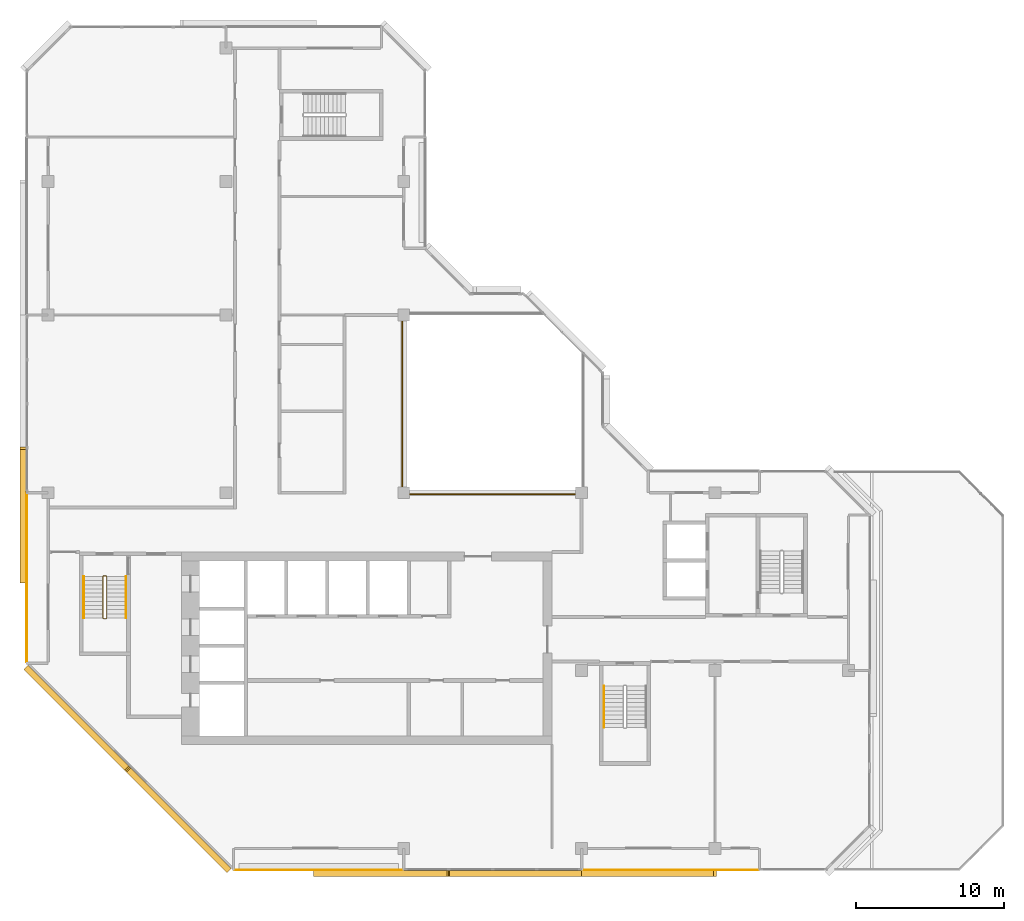
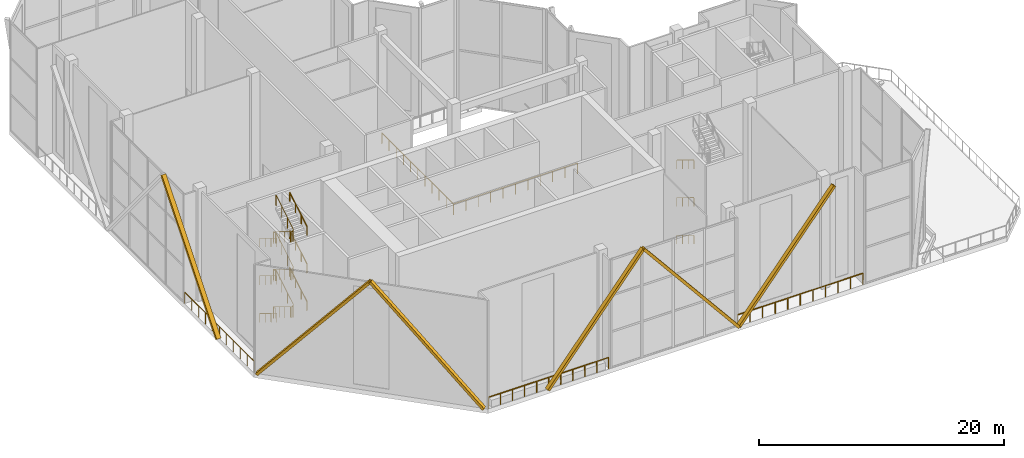
# One storey, part 13 of 16: 14 railings, 6 coverings.
"""IFC4 building model written with IfcOpenShell, lengths in metres."""

from ifc_helpers import new_model, si_unit, direction, frame, origin, origin_2d, place, context, subcontext, project, spatial, rectangle, extrude, material, material_profile, profile_set, type_object, element, save


model = new_model("IFC4")

# Units and contexts
model_context = context("Model", 3, precision=1e-05, world=origin(), true_north=direction((0.0, 1.0)))
body_context = subcontext(model_context, "Body", "Model", "MODEL_VIEW")
ifc_project = project(units=[si_unit("LENGTHUNIT", "METRE"), si_unit("AREAUNIT", "SQUARE_METRE"), si_unit("VOLUMEUNIT", "CUBIC_METRE"), si_unit("PLANEANGLEUNIT", "RADIAN"), si_unit("MASSUNIT", "GRAM", prefix="KILO")], contexts=[model_context])

# Site, building, storey
site_placement = place(None, origin())
site = spatial("IfcSite", under=ifc_project, at=site_placement, CompositionType="ELEMENT")
building_placement = place(site_placement, origin())
building = spatial("IfcBuilding", under=site, at=building_placement, Name="Chenar Terraces", CompositionType="ELEMENT")
storey_placement = place(building_placement, frame((0.0, 0.0, 327.64990234375)))
storey = spatial("IfcBuildingStorey", under=building, at=storey_placement, Name="L77", CompositionType="ELEMENT", Elevation=327.64990234375)

# Railings
ifc_material_1 = material(Name="Powder-coated steel", Category="steel")
railing_type_1 = type_object("IfcRailingType", Name="Guard 1100 steel rail with glass infill", PredefinedType="GUARDRAIL", material=ifc_material_1)
railing_1_placement = place(storey_placement, frame((23.89990234375, 35.60009765625, 0.0)))
element("IfcRailing", 1, at=railing_1_placement, inside=storey, type_object=railing_type_1, Name="Guard L77-1", PredefinedType="GUARDRAIL", context=body_context, shape_type="SweptSolid", body=[
    extrude(rectangle(XDim=0.06005859375, YDim=0.06005859375, at=origin_2d()), frame((0.0, 0.0, 1.070068359375), z_axis=(0.0, -1.0, 0.0), x_axis=(1.0, 0.0, 0.0)), (0.0, 0.0, 1.0), 11.7001953125),
    extrude(rectangle(XDim=0.06005859375, YDim=0.06005859375, at=origin_2d()), frame((0.0, -11.7001953125, 1.070068359375), z_axis=(1.0, 0.0, 0.0), x_axis=(0.0, 1.0, 0.0)), (0.0, 0.0, 1.0), 11.7001953125),
    extrude(rectangle(XDim=0.050048828125, YDim=0.050048828125, at=origin_2d()), origin(), (0.0, 0.0, 1.0), 1.0400390625),
    extrude(rectangle(XDim=0.050048828125, YDim=0.050048828125, at=origin_2d()), frame((0.0, -1.169921875, 0.0)), (0.0, 0.0, 1.0), 1.0400390625),
    extrude(rectangle(XDim=0.050048828125, YDim=0.050048828125, at=origin_2d()), frame((0.0, -2.340087890625, 0.0)), (0.0, 0.0, 1.0), 1.0400390625),
    extrude(rectangle(XDim=0.050048828125, YDim=0.050048828125, at=origin_2d()), frame((0.0, -3.510009765625, 0.0)), (0.0, 0.0, 1.0), 1.0400390625),
    extrude(rectangle(XDim=0.050048828125, YDim=0.050048828125, at=origin_2d()), frame((0.0, -4.68017578125, 0.0)), (0.0, 0.0, 1.0), 1.0400390625),
    extrude(rectangle(XDim=0.050048828125, YDim=0.050048828125, at=origin_2d()), frame((0.0, -5.85009765625, 0.0)), (0.0, 0.0, 1.0), 1.0400390625),
    extrude(rectangle(XDim=0.050048828125, YDim=0.050048828125, at=origin_2d()), frame((0.0, -7.02001953125, 0.0)), (0.0, 0.0, 1.0), 1.0400390625),
    extrude(rectangle(XDim=0.050048828125, YDim=0.050048828125, at=origin_2d()), frame((0.0, -8.190185546875, 0.0)), (0.0, 0.0, 1.0), 1.0400390625),
    extrude(rectangle(XDim=0.050048828125, YDim=0.050048828125, at=origin_2d()), frame((0.0, -9.360107421875, 0.0)), (0.0, 0.0, 1.0), 1.0400390625),
    extrude(rectangle(XDim=0.050048828125, YDim=0.050048828125, at=origin_2d()), frame((0.0, -10.5302734375, 0.0)), (0.0, 0.0, 1.0), 1.0400390625),
    extrude(rectangle(XDim=0.050048828125, YDim=0.050048828125, at=origin_2d()), frame((0.0, -11.7001953125, 0.0)), (0.0, 0.0, 1.0), 1.0400390625),
    extrude(rectangle(XDim=0.050048828125, YDim=0.050048828125, at=origin_2d()), frame((1.169921875, -11.7001953125, 0.0)), (0.0, 0.0, 1.0), 1.0400390625),
    extrude(rectangle(XDim=0.050048828125, YDim=0.050048828125, at=origin_2d()), frame((2.340087890625, -11.7001953125, 0.0)), (0.0, 0.0, 1.0), 1.0400390625),
    extrude(rectangle(XDim=0.050048828125, YDim=0.050048828125, at=origin_2d()), frame((3.510009765625, -11.7001953125, 0.0)), (0.0, 0.0, 1.0), 1.0400390625),
    extrude(rectangle(XDim=0.050048828125, YDim=0.050048828125, at=origin_2d()), frame((4.68017578125, -11.7001953125, 0.0)), (0.0, 0.0, 1.0), 1.0400390625),
    extrude(rectangle(XDim=0.050048828125, YDim=0.050048828125, at=origin_2d()), frame((5.85009765625, -11.7001953125, 0.0)), (0.0, 0.0, 1.0), 1.0400390625),
    extrude(rectangle(XDim=0.050048828125, YDim=0.050048828125, at=origin_2d()), frame((7.02001953125, -11.7001953125, 0.0)), (0.0, 0.0, 1.0), 1.0400390625),
    extrude(rectangle(XDim=0.050048828125, YDim=0.050048828125, at=origin_2d()), frame((8.190185546875, -11.7001953125, 0.0)), (0.0, 0.0, 1.0), 1.0400390625),
    extrude(rectangle(XDim=0.050048828125, YDim=0.050048828125, at=origin_2d()), frame((9.360107421875, -11.7001953125, 0.0)), (0.0, 0.0, 1.0), 1.0400390625),
    extrude(rectangle(XDim=0.050048828125, YDim=0.050048828125, at=origin_2d()), frame((10.5302734375, -11.7001953125, 0.0)), (0.0, 0.0, 1.0), 1.0400390625),
    extrude(rectangle(XDim=0.050048828125, YDim=0.050048828125, at=origin_2d()), frame((11.7001953125, -11.7001953125, 0.0)), (0.0, 0.0, 1.0), 1.0400390625),
])
ifc_material_2 = material(Name="Stainless steel and glass", Category="steel")
railing_type_2 = type_object("IfcRailingType", Name="Loggia guard 1150", PredefinedType="GUARDRAIL", material=ifc_material_2)
railing_2_placement = place(storey_placement, frame((12.574951171875, -1.449951171875, 0.0)))
element("IfcRailing", 2, at=railing_2_placement, inside=storey, type_object=railing_type_2, Name="Loggia guard", PredefinedType="GUARDRAIL", context=body_context, shape_type="SweptSolid", body=[
    extrude(rectangle(XDim=0.048095703125, YDim=0.048095703125, at=origin_2d()), frame((0.0, 0.0, 1.1259765625), z_axis=(1.0, 0.0, 0.0), x_axis=(0.0, 1.0, 0.0)), (0.0, 0.0, 1.0), 11.35009765625),
    extrude(rectangle(XDim=0.0419921875, YDim=0.0419921875, at=origin_2d()), origin(), (0.0, 0.0, 1.0), 1.101806640625),
    extrude(rectangle(XDim=0.0419921875, YDim=0.0419921875, at=origin_2d()), frame((1.135009765625, 0.0, 0.0)), (0.0, 0.0, 1.0), 1.101806640625),
    extrude(rectangle(XDim=0.0419921875, YDim=0.0419921875, at=origin_2d()), frame((2.27001953125, 0.0, 0.0)), (0.0, 0.0, 1.0), 1.101806640625),
    extrude(rectangle(XDim=0.0419921875, YDim=0.0419921875, at=origin_2d()), frame((3.405029296875, 0.0, 0.0)), (0.0, 0.0, 1.0), 1.101806640625),
    extrude(rectangle(XDim=0.0419921875, YDim=0.0419921875, at=origin_2d()), frame((4.5400390625, 0.0, 0.0)), (0.0, 0.0, 1.0), 1.101806640625),
    extrude(rectangle(XDim=0.0419921875, YDim=0.0419921875, at=origin_2d()), frame((5.675048828125, 0.0, 0.0)), (0.0, 0.0, 1.0), 1.101806640625),
    extrude(rectangle(XDim=0.0419921875, YDim=0.0419921875, at=origin_2d()), frame((6.81005859375, 0.0, 0.0)), (0.0, 0.0, 1.0), 1.101806640625),
    extrude(rectangle(XDim=0.0419921875, YDim=0.0419921875, at=origin_2d()), frame((7.945068359375, 0.0, 0.0)), (0.0, 0.0, 1.0), 1.101806640625),
    extrude(rectangle(XDim=0.0419921875, YDim=0.0419921875, at=origin_2d()), frame((9.080078125, 0.0, 0.0)), (0.0, 0.0, 1.0), 1.101806640625),
    extrude(rectangle(XDim=0.0419921875, YDim=0.0419921875, at=origin_2d()), frame((10.215087890625, 0.0, 0.0)), (0.0, 0.0, 1.0), 1.101806640625),
    extrude(rectangle(XDim=0.0419921875, YDim=0.0419921875, at=origin_2d()), frame((11.35009765625, 0.0, 0.0)), (0.0, 0.0, 1.0), 1.101806640625),
])
railing_3_placement = place(storey_placement, frame((36.074951171875, -1.449951171875, 0.0)))
element("IfcRailing", 3, at=railing_3_placement, inside=storey, type_object=railing_type_2, Name="Loggia guard", PredefinedType="GUARDRAIL", context=body_context, shape_type="SweptSolid", body=[
    extrude(rectangle(XDim=0.048095703125, YDim=0.048095703125, at=origin_2d()), frame((0.0, 0.0, 1.1259765625), z_axis=(1.0, 0.0, 0.0), x_axis=(0.0, 1.0, 0.0)), (0.0, 0.0, 1.0), 11.85009765625),
    extrude(rectangle(XDim=0.0419921875, YDim=0.0419921875, at=origin_2d()), origin(), (0.0, 0.0, 1.0), 1.101806640625),
    extrude(rectangle(XDim=0.0419921875, YDim=0.0419921875, at=origin_2d()), frame((1.18505859375, 0.0, 0.0)), (0.0, 0.0, 1.0), 1.101806640625),
    extrude(rectangle(XDim=0.0419921875, YDim=0.0419921875, at=origin_2d()), frame((2.3701171875, 0.0, 0.0)), (0.0, 0.0, 1.0), 1.101806640625),
    extrude(rectangle(XDim=0.0419921875, YDim=0.0419921875, at=origin_2d()), frame((3.554931640625, 0.0, 0.0)), (0.0, 0.0, 1.0), 1.101806640625),
    extrude(rectangle(XDim=0.0419921875, YDim=0.0419921875, at=origin_2d()), frame((4.739990234375, 0.0, 0.0)), (0.0, 0.0, 1.0), 1.101806640625),
    extrude(rectangle(XDim=0.0419921875, YDim=0.0419921875, at=origin_2d()), frame((5.925048828125, 0.0, 0.0)), (0.0, 0.0, 1.0), 1.101806640625),
    extrude(rectangle(XDim=0.0419921875, YDim=0.0419921875, at=origin_2d()), frame((7.110107421875, 0.0, 0.0)), (0.0, 0.0, 1.0), 1.101806640625),
    extrude(rectangle(XDim=0.0419921875, YDim=0.0419921875, at=origin_2d()), frame((8.295166015625, 0.0, 0.0)), (0.0, 0.0, 1.0), 1.101806640625),
    extrude(rectangle(XDim=0.0419921875, YDim=0.0419921875, at=origin_2d()), frame((9.47998046875, 0.0, 0.0)), (0.0, 0.0, 1.0), 1.101806640625),
    extrude(rectangle(XDim=0.0419921875, YDim=0.0419921875, at=origin_2d()), frame((10.6650390625, 0.0, 0.0)), (0.0, 0.0, 1.0), 1.101806640625),
    extrude(rectangle(XDim=0.0419921875, YDim=0.0419921875, at=origin_2d()), frame((11.85009765625, 0.0, 0.0)), (0.0, 0.0, 1.0), 1.101806640625),
])
railing_4_placement = place(storey_placement, frame((-1.449951171875, 23.925048828125, 0.0)))
element("IfcRailing", 4, at=railing_4_placement, inside=storey, type_object=railing_type_2, Name="Loggia guard", PredefinedType="GUARDRAIL", context=body_context, shape_type="SweptSolid", body=[
    extrude(rectangle(XDim=0.048095703125, YDim=0.048095703125, at=origin_2d()), frame((0.0, 0.0, 1.1259765625), z_axis=(0.0, -1.0, 0.0), x_axis=(1.0, 0.0, 0.0)), (0.0, 0.0, 1.0), 11.35009765625),
    extrude(rectangle(XDim=0.0419921875, YDim=0.0419921875, at=origin_2d()), origin(), (0.0, 0.0, 1.0), 1.101806640625),
    extrude(rectangle(XDim=0.0419921875, YDim=0.0419921875, at=origin_2d()), frame((0.0, -1.135009765625, 0.0)), (0.0, 0.0, 1.0), 1.101806640625),
    extrude(rectangle(XDim=0.0419921875, YDim=0.0419921875, at=origin_2d()), frame((0.0, -2.27001953125, 0.0)), (0.0, 0.0, 1.0), 1.101806640625),
    extrude(rectangle(XDim=0.0419921875, YDim=0.0419921875, at=origin_2d()), frame((0.0, -3.405029296875, 0.0)), (0.0, 0.0, 1.0), 1.101806640625),
    extrude(rectangle(XDim=0.0419921875, YDim=0.0419921875, at=origin_2d()), frame((0.0, -4.5400390625, 0.0)), (0.0, 0.0, 1.0), 1.101806640625),
    extrude(rectangle(XDim=0.0419921875, YDim=0.0419921875, at=origin_2d()), frame((0.0, -5.675048828125, 0.0)), (0.0, 0.0, 1.0), 1.101806640625),
    extrude(rectangle(XDim=0.0419921875, YDim=0.0419921875, at=origin_2d()), frame((0.0, -6.81005859375, 0.0)), (0.0, 0.0, 1.0), 1.101806640625),
    extrude(rectangle(XDim=0.0419921875, YDim=0.0419921875, at=origin_2d()), frame((0.0, -7.945068359375, 0.0)), (0.0, 0.0, 1.0), 1.101806640625),
    extrude(rectangle(XDim=0.0419921875, YDim=0.0419921875, at=origin_2d()), frame((0.0, -9.080078125, 0.0)), (0.0, 0.0, 1.0), 1.101806640625),
    extrude(rectangle(XDim=0.0419921875, YDim=0.0419921875, at=origin_2d()), frame((0.0, -10.215087890625, 0.0)), (0.0, 0.0, 1.0), 1.101806640625),
    extrude(rectangle(XDim=0.0419921875, YDim=0.0419921875, at=origin_2d()), frame((0.0, -11.35009765625, 0.0)), (0.0, 0.0, 1.0), 1.101806640625),
])
ifc_material_3 = material(Name="Powder-coated steel", Category="steel")
railing_type_3 = type_object("IfcRailingType", Name="Stair guard 1100", PredefinedType="GUARDRAIL", material=ifc_material_3)
railing_5_placement = place(storey_placement, frame((3.949951171875, 18.35009765625, 11.25)))
element("IfcRailing", 5, at=railing_5_placement, inside=storey, type_object=railing_type_3, Name="L77 ST1 stair guard 1", PredefinedType="GUARDRAIL", context=body_context, shape_type="SweptSolid", body=[
    extrude(rectangle(XDim=0.048095703125, YDim=0.048095703125, at=origin_2d()), frame((0.0, 0.0, 1.076171875), z_axis=(0.0, -0.854202870247, -0.519939858505), x_axis=(1.0, 0.0, 0.0)), (0.0, 0.0, 1.0), 3.278076171875),
    extrude(rectangle(XDim=0.048095703125, YDim=0.048095703125, at=origin_2d()), frame((0.0, -2.800048828125, -0.62841796875), z_axis=(-0.270899902878, -0.270899902878, -0.923702595667), x_axis=(0.707106781187, -0.707106781187, 0.0)), (0.0, 0.0, 1.0), 0.184814453125),
    extrude(rectangle(XDim=0.048095703125, YDim=0.048095703125, at=origin_2d()), frame((-0.050048828125, -2.85009765625, -0.798828125), z_axis=(-1.0, 0.0, 0.0), x_axis=(0.0, -1.0, 0.0)), (0.0, 0.0, 1.0), 0.14990234375),
    extrude(rectangle(XDim=0.048095703125, YDim=0.048095703125, at=origin_2d()), frame((-0.199951171875, -2.85009765625, -0.798828125), z_axis=(-0.707106781187, 0.707106781187, 0.0), x_axis=(-0.707106781187, -0.707106781187, 0.0)), (0.0, 0.0, 1.0), 0.07080078125),
    extrude(rectangle(XDim=0.048095703125, YDim=0.048095703125, at=origin_2d()), frame((-0.25, -2.800048828125, -0.798828125), z_axis=(0.0, 0.854202870247, -0.519939858505), x_axis=(-1.0, 0.0, 0.0)), (0.0, 0.0, 1.0), 3.278076171875),
    extrude(rectangle(XDim=0.048095703125, YDim=0.048095703125, at=origin_2d()), frame((-0.25, 0.0, -2.50341796875), z_axis=(0.747336813268, 0.186149828946, -0.637836913888), x_axis=(-0.241699205484, 0.970351222016, 0.0)), (0.0, 0.0, 1.0), 0.267578125),
    extrude(rectangle(XDim=0.048095703125, YDim=0.048095703125, at=origin_2d()), frame((-0.050048828125, 0.0498046875, -2.673828125), z_axis=(-1.0, 0.0, 0.0), x_axis=(0.0, -1.0, 0.0)), (0.0, 0.0, 1.0), 0.14990234375),
    extrude(rectangle(XDim=0.048095703125, YDim=0.048095703125, at=origin_2d()), frame((-0.199951171875, 0.0498046875, -2.673828125), z_axis=(0.970351222016, -0.241699205484, 0.0), x_axis=(0.241699205484, 0.970351222016, 0.0)), (0.0, 0.0, 1.0), 0.2060546875),
    extrude(rectangle(XDim=0.048095703125, YDim=0.048095703125, at=origin_2d()), frame((0.0, 0.0, -2.673828125), z_axis=(0.0, -0.854202870247, -0.519939858505), x_axis=(1.0, 0.0, 0.0)), (0.0, 0.0, 1.0), 3.278076171875),
    extrude(rectangle(XDim=0.048095703125, YDim=0.048095703125, at=origin_2d()), frame((0.0, -2.800048828125, -4.37841796875), z_axis=(-0.270899902878, -0.270899902878, -0.923702595667), x_axis=(0.707106781187, -0.707106781187, 0.0)), (0.0, 0.0, 1.0), 0.184814453125),
    extrude(rectangle(XDim=0.048095703125, YDim=0.048095703125, at=origin_2d()), frame((-0.050048828125, -2.85009765625, -4.548828125), z_axis=(-1.0, 0.0, 0.0), x_axis=(0.0, -1.0, 0.0)), (0.0, 0.0, 1.0), 0.14990234375),
    extrude(rectangle(XDim=0.048095703125, YDim=0.048095703125, at=origin_2d()), frame((-0.199951171875, -2.85009765625, -4.548828125), z_axis=(-0.707106781187, 0.707106781187, 0.0), x_axis=(-0.707106781187, -0.707106781187, 0.0)), (0.0, 0.0, 1.0), 0.07080078125),
    extrude(rectangle(XDim=0.048095703125, YDim=0.048095703125, at=origin_2d()), frame((-0.25, -2.800048828125, -4.548828125), z_axis=(0.0, 0.854202870247, -0.519939858505), x_axis=(-1.0, 0.0, 0.0)), (0.0, 0.0, 1.0), 3.278076171875),
    extrude(rectangle(XDim=0.048095703125, YDim=0.048095703125, at=origin_2d()), frame((-0.25, 0.0, -6.25341796875), z_axis=(0.747336813268, 0.186149828946, -0.637836913888), x_axis=(-0.241699205484, 0.970351222016, 0.0)), (0.0, 0.0, 1.0), 0.267578125),
    extrude(rectangle(XDim=0.048095703125, YDim=0.048095703125, at=origin_2d()), frame((-0.050048828125, 0.0498046875, -6.423828125), z_axis=(-1.0, 0.0, 0.0), x_axis=(0.0, -1.0, 0.0)), (0.0, 0.0, 1.0), 0.14990234375),
    extrude(rectangle(XDim=0.048095703125, YDim=0.048095703125, at=origin_2d()), frame((-0.199951171875, 0.0498046875, -6.423828125), z_axis=(0.970351222016, -0.241699205484, 0.0), x_axis=(0.241699205484, 0.970351222016, 0.0)), (0.0, 0.0, 1.0), 0.2060546875),
    extrude(rectangle(XDim=0.048095703125, YDim=0.048095703125, at=origin_2d()), frame((0.0, 0.0, -6.423828125), z_axis=(0.0, -0.854202870247, -0.519939858505), x_axis=(1.0, 0.0, 0.0)), (0.0, 0.0, 1.0), 3.278076171875),
    extrude(rectangle(XDim=0.048095703125, YDim=0.048095703125, at=origin_2d()), frame((0.0, -2.800048828125, -8.12841796875), z_axis=(-0.270899902878, -0.270899902878, -0.923702595667), x_axis=(0.707106781187, -0.707106781187, 0.0)), (0.0, 0.0, 1.0), 0.184814453125),
    extrude(rectangle(XDim=0.048095703125, YDim=0.048095703125, at=origin_2d()), frame((-0.050048828125, -2.85009765625, -8.298828125), z_axis=(-1.0, 0.0, 0.0), x_axis=(0.0, -1.0, 0.0)), (0.0, 0.0, 1.0), 0.14990234375),
    extrude(rectangle(XDim=0.048095703125, YDim=0.048095703125, at=origin_2d()), frame((-0.199951171875, -2.85009765625, -8.298828125), z_axis=(-0.707106781187, 0.707106781187, 0.0), x_axis=(-0.707106781187, -0.707106781187, 0.0)), (0.0, 0.0, 1.0), 0.07080078125),
    extrude(rectangle(XDim=0.048095703125, YDim=0.048095703125, at=origin_2d()), frame((-0.25, -2.800048828125, -8.298828125), z_axis=(0.0, 0.854202870247, -0.519939858505), x_axis=(-1.0, 0.0, 0.0)), (0.0, 0.0, 1.0), 3.278076171875),
    extrude(rectangle(XDim=0.048095703125, YDim=0.048095703125, at=origin_2d()), frame((-0.25, 0.0, -10.00341796875), z_axis=(0.270996696079, 0.269674760976, -0.924032636873), x_axis=(-0.705375805398, 0.708833529934, 0.0)), (0.0, 0.0, 1.0), 0.1845703125),
    extrude(rectangle(XDim=0.048095703125, YDim=0.048095703125, at=origin_2d()), frame((-0.199951171875, 0.0498046875, -10.173828125), z_axis=(1.0, 0.0, 0.0), x_axis=(0.0, 1.0, 0.0)), (0.0, 0.0, 1.0), 0.14990234375),
    extrude(rectangle(XDim=0.0419921875, YDim=0.0419921875, at=origin_2d()), origin(), (0.0, 0.0, 1.0), 1.052001953125),
    extrude(rectangle(XDim=0.0419921875, YDim=0.0419921875, at=origin_2d()), frame((0.0, -0.933349609375, -0.568115234375)), (0.0, 0.0, 1.0), 1.052001953125),
    extrude(rectangle(XDim=0.0419921875, YDim=0.0419921875, at=origin_2d()), frame((0.0, -1.86669921875, -1.13623046875)), (0.0, 0.0, 1.0), 1.052001953125),
    extrude(rectangle(XDim=0.0419921875, YDim=0.0419921875, at=origin_2d()), frame((0.0, -2.800048828125, -1.704345703125)), (0.0, 0.0, 1.0), 1.052001953125),
    extrude(rectangle(XDim=0.0419921875, YDim=0.0419921875, at=origin_2d()), frame((-0.050048828125, -2.85009765625, -1.875)), (0.0, 0.0, 1.0), 1.052001953125),
    extrude(rectangle(XDim=0.0419921875, YDim=0.0419921875, at=origin_2d()), frame((-0.199951171875, -2.85009765625, -1.875)), (0.0, 0.0, 1.0), 1.052001953125),
    extrude(rectangle(XDim=0.0419921875, YDim=0.0419921875, at=origin_2d()), frame((-0.25, -2.800048828125, -1.875)), (0.0, 0.0, 1.0), 1.052001953125),
    extrude(rectangle(XDim=0.0419921875, YDim=0.0419921875, at=origin_2d()), frame((-0.25, -1.86669921875, -2.443115234375)), (0.0, 0.0, 1.0), 1.052001953125),
    extrude(rectangle(XDim=0.0419921875, YDim=0.0419921875, at=origin_2d()), frame((-0.25, -0.933349609375, -3.01123046875)), (0.0, 0.0, 1.0), 1.052001953125),
    extrude(rectangle(XDim=0.0419921875, YDim=0.0419921875, at=origin_2d()), frame((-0.25, 0.0, -3.579345703125)), (0.0, 0.0, 1.0), 1.052001953125),
    extrude(rectangle(XDim=0.0419921875, YDim=0.0419921875, at=origin_2d()), frame((-0.050048828125, 0.0498046875, -3.75)), (0.0, 0.0, 1.0), 1.052001953125),
    extrude(rectangle(XDim=0.0419921875, YDim=0.0419921875, at=origin_2d()), frame((-0.199951171875, 0.0498046875, -3.75)), (0.0, 0.0, 1.0), 1.052001953125),
    extrude(rectangle(XDim=0.0419921875, YDim=0.0419921875, at=origin_2d()), frame((0.0, 0.0, -3.75)), (0.0, 0.0, 1.0), 1.052001953125),
    extrude(rectangle(XDim=0.0419921875, YDim=0.0419921875, at=origin_2d()), frame((0.0, -0.933349609375, -4.318115234375)), (0.0, 0.0, 1.0), 1.052001953125),
    extrude(rectangle(XDim=0.0419921875, YDim=0.0419921875, at=origin_2d()), frame((0.0, -1.86669921875, -4.88623046875)), (0.0, 0.0, 1.0), 1.052001953125),
    extrude(rectangle(XDim=0.0419921875, YDim=0.0419921875, at=origin_2d()), frame((0.0, -2.800048828125, -5.454345703125)), (0.0, 0.0, 1.0), 1.052001953125),
    extrude(rectangle(XDim=0.0419921875, YDim=0.0419921875, at=origin_2d()), frame((-0.050048828125, -2.85009765625, -5.625)), (0.0, 0.0, 1.0), 1.052001953125),
    extrude(rectangle(XDim=0.0419921875, YDim=0.0419921875, at=origin_2d()), frame((-0.199951171875, -2.85009765625, -5.625)), (0.0, 0.0, 1.0), 1.052001953125),
    extrude(rectangle(XDim=0.0419921875, YDim=0.0419921875, at=origin_2d()), frame((-0.25, -2.800048828125, -5.625)), (0.0, 0.0, 1.0), 1.052001953125),
    extrude(rectangle(XDim=0.0419921875, YDim=0.0419921875, at=origin_2d()), frame((-0.25, -1.86669921875, -6.193115234375)), (0.0, 0.0, 1.0), 1.052001953125),
    extrude(rectangle(XDim=0.0419921875, YDim=0.0419921875, at=origin_2d()), frame((-0.25, -0.933349609375, -6.76123046875)), (0.0, 0.0, 1.0), 1.052001953125),
    extrude(rectangle(XDim=0.0419921875, YDim=0.0419921875, at=origin_2d()), frame((-0.25, 0.0, -7.329345703125)), (0.0, 0.0, 1.0), 1.052001953125),
    extrude(rectangle(XDim=0.0419921875, YDim=0.0419921875, at=origin_2d()), frame((-0.050048828125, 0.0498046875, -7.5)), (0.0, 0.0, 1.0), 1.052001953125),
    extrude(rectangle(XDim=0.0419921875, YDim=0.0419921875, at=origin_2d()), frame((-0.199951171875, 0.0498046875, -7.5)), (0.0, 0.0, 1.0), 1.052001953125),
    extrude(rectangle(XDim=0.0419921875, YDim=0.0419921875, at=origin_2d()), frame((0.0, 0.0, -7.5)), (0.0, 0.0, 1.0), 1.052001953125),
    extrude(rectangle(XDim=0.0419921875, YDim=0.0419921875, at=origin_2d()), frame((0.0, -0.933349609375, -8.068115234375)), (0.0, 0.0, 1.0), 1.052001953125),
    extrude(rectangle(XDim=0.0419921875, YDim=0.0419921875, at=origin_2d()), frame((0.0, -1.86669921875, -8.63623046875)), (0.0, 0.0, 1.0), 1.052001953125),
    extrude(rectangle(XDim=0.0419921875, YDim=0.0419921875, at=origin_2d()), frame((0.0, -2.800048828125, -9.204345703125)), (0.0, 0.0, 1.0), 1.052001953125),
    extrude(rectangle(XDim=0.0419921875, YDim=0.0419921875, at=origin_2d()), frame((-0.050048828125, -2.85009765625, -9.375)), (0.0, 0.0, 1.0), 1.052001953125),
    extrude(rectangle(XDim=0.0419921875, YDim=0.0419921875, at=origin_2d()), frame((-0.199951171875, -2.85009765625, -9.375)), (0.0, 0.0, 1.0), 1.052001953125),
    extrude(rectangle(XDim=0.0419921875, YDim=0.0419921875, at=origin_2d()), frame((-0.25, -2.800048828125, -9.375)), (0.0, 0.0, 1.0), 1.052001953125),
    extrude(rectangle(XDim=0.0419921875, YDim=0.0419921875, at=origin_2d()), frame((-0.25, -1.86669921875, -9.943115234375)), (0.0, 0.0, 1.0), 1.052001953125),
    extrude(rectangle(XDim=0.0419921875, YDim=0.0419921875, at=origin_2d()), frame((-0.25, -0.933349609375, -10.51123046875)), (0.0, 0.0, 1.0), 1.052001953125),
    extrude(rectangle(XDim=0.0419921875, YDim=0.0419921875, at=origin_2d()), frame((-0.25, 0.0, -11.079345703125)), (0.0, 0.0, 1.0), 1.052001953125),
    extrude(rectangle(XDim=0.0419921875, YDim=0.0419921875, at=origin_2d()), frame((-0.199951171875, 0.0498046875, -11.25)), (0.0, 0.0, 1.0), 1.052001953125),
    extrude(rectangle(XDim=0.0419921875, YDim=0.0419921875, at=origin_2d()), frame((-0.050048828125, 0.0498046875, -11.25)), (0.0, 0.0, 1.0), 1.052001953125),
])
ifc_material_4 = material(Name="Powder-coated steel", Category="steel")
railing_type_4 = type_object("IfcRailingType", Name="Stair handrail 900", PredefinedType="HANDRAIL", material=ifc_material_4)
railing_6_placement = place(storey_placement, frame((2.39990234375, 18.35009765625, 0.170654296875)))
element("IfcRailing", 6, at=railing_6_placement, inside=storey, type_object=railing_type_4, Name="L77 ST1 stair handrail 1", PredefinedType="HANDRAIL", context=body_context, shape_type="SweptSolid", body=[
    extrude(rectangle(XDim=0.048095703125, YDim=0.048095703125, at=origin_2d()), frame((0.0, 0.0, 0.8759765625), z_axis=(0.0, -0.854202870247, 0.519939858505), x_axis=(1.0, 0.0, 0.0)), (0.0, 0.0, 1.0), 3.278076171875),
    extrude(rectangle(XDim=0.0419921875, YDim=0.0419921875, at=origin_2d()), origin(), (0.0, 0.0, 1.0), 0.851806640625),
    extrude(rectangle(XDim=0.0419921875, YDim=0.0419921875, at=origin_2d()), frame((0.0, -0.933349609375, 0.568115234375)), (0.0, 0.0, 1.0), 0.851806640625),
    extrude(rectangle(XDim=0.0419921875, YDim=0.0419921875, at=origin_2d()), frame((0.0, -1.86669921875, 1.13623046875)), (0.0, 0.0, 1.0), 0.851806640625),
    extrude(rectangle(XDim=0.0419921875, YDim=0.0419921875, at=origin_2d()), frame((0.0, -2.800048828125, 1.704345703125)), (0.0, 0.0, 1.0), 0.851806640625),
])
railing_7_placement = place(storey_placement, frame((5.25, 15.550048828125, 2.045654296875)))
element("IfcRailing", 7, at=railing_7_placement, inside=storey, type_object=railing_type_4, Name="L77 ST1 stair handrail 2", PredefinedType="HANDRAIL", context=body_context, shape_type="SweptSolid", body=[
    extrude(rectangle(XDim=0.048095703125, YDim=0.048095703125, at=origin_2d()), frame((0.0, 0.0, 0.8759765625), z_axis=(0.0, 0.854202870247, 0.519939858505), x_axis=(-1.0, 0.0, 0.0)), (0.0, 0.0, 1.0), 3.278076171875),
    extrude(rectangle(XDim=0.0419921875, YDim=0.0419921875, at=origin_2d()), origin(), (0.0, 0.0, 1.0), 0.851806640625),
    extrude(rectangle(XDim=0.0419921875, YDim=0.0419921875, at=origin_2d()), frame((0.0, 0.933349609375, 0.568115234375)), (0.0, 0.0, 1.0), 0.851806640625),
    extrude(rectangle(XDim=0.0419921875, YDim=0.0419921875, at=origin_2d()), frame((0.0, 1.86669921875, 1.13623046875)), (0.0, 0.0, 1.0), 0.851806640625),
    extrude(rectangle(XDim=0.0419921875, YDim=0.0419921875, at=origin_2d()), frame((0.0, 2.800048828125, 1.704345703125)), (0.0, 0.0, 1.0), 0.851806640625),
])
railing_8_placement = place(storey_placement, frame((2.39990234375, 18.35009765625, 3.920654296875)))
element("IfcRailing", 8, at=railing_8_placement, inside=storey, type_object=railing_type_4, Name="L77 ST1 stair handrail 3", PredefinedType="HANDRAIL", context=body_context, shape_type="SweptSolid", body=[
    extrude(rectangle(XDim=0.048095703125, YDim=0.048095703125, at=origin_2d()), frame((0.0, 0.0, 0.8759765625), z_axis=(0.0, -0.854202870247, 0.519939858505), x_axis=(1.0, 0.0, 0.0)), (0.0, 0.0, 1.0), 3.278076171875),
    extrude(rectangle(XDim=0.0419921875, YDim=0.0419921875, at=origin_2d()), origin(), (0.0, 0.0, 1.0), 0.851806640625),
    extrude(rectangle(XDim=0.0419921875, YDim=0.0419921875, at=origin_2d()), frame((0.0, -0.933349609375, 0.568115234375)), (0.0, 0.0, 1.0), 0.851806640625),
    extrude(rectangle(XDim=0.0419921875, YDim=0.0419921875, at=origin_2d()), frame((0.0, -1.86669921875, 1.13623046875)), (0.0, 0.0, 1.0), 0.851806640625),
    extrude(rectangle(XDim=0.0419921875, YDim=0.0419921875, at=origin_2d()), frame((0.0, -2.800048828125, 1.704345703125)), (0.0, 0.0, 1.0), 0.851806640625),
])
railing_9_placement = place(storey_placement, frame((5.25, 15.550048828125, 5.795654296875)))
element("IfcRailing", 9, at=railing_9_placement, inside=storey, type_object=railing_type_4, Name="L77 ST1 stair handrail 4", PredefinedType="HANDRAIL", context=body_context, shape_type="SweptSolid", body=[
    extrude(rectangle(XDim=0.048095703125, YDim=0.048095703125, at=origin_2d()), frame((0.0, 0.0, 0.8759765625), z_axis=(0.0, 0.854202870247, 0.519939858505), x_axis=(-1.0, 0.0, 0.0)), (0.0, 0.0, 1.0), 3.278076171875),
    extrude(rectangle(XDim=0.0419921875, YDim=0.0419921875, at=origin_2d()), origin(), (0.0, 0.0, 1.0), 0.851806640625),
    extrude(rectangle(XDim=0.0419921875, YDim=0.0419921875, at=origin_2d()), frame((0.0, 0.933349609375, 0.568115234375)), (0.0, 0.0, 1.0), 0.851806640625),
    extrude(rectangle(XDim=0.0419921875, YDim=0.0419921875, at=origin_2d()), frame((0.0, 1.86669921875, 1.13623046875)), (0.0, 0.0, 1.0), 0.851806640625),
    extrude(rectangle(XDim=0.0419921875, YDim=0.0419921875, at=origin_2d()), frame((0.0, 2.800048828125, 1.704345703125)), (0.0, 0.0, 1.0), 0.851806640625),
])
railing_10_placement = place(storey_placement, frame((2.39990234375, 18.35009765625, 7.670654296875)))
element("IfcRailing", 10, at=railing_10_placement, inside=storey, type_object=railing_type_4, Name="L77 ST1 stair handrail 5", PredefinedType="HANDRAIL", context=body_context, shape_type="SweptSolid", body=[
    extrude(rectangle(XDim=0.048095703125, YDim=0.048095703125, at=origin_2d()), frame((0.0, 0.0, 0.8759765625), z_axis=(0.0, -0.854202870247, 0.519939858505), x_axis=(1.0, 0.0, 0.0)), (0.0, 0.0, 1.0), 3.278076171875),
    extrude(rectangle(XDim=0.0419921875, YDim=0.0419921875, at=origin_2d()), origin(), (0.0, 0.0, 1.0), 0.851806640625),
    extrude(rectangle(XDim=0.0419921875, YDim=0.0419921875, at=origin_2d()), frame((0.0, -0.933349609375, 0.568115234375)), (0.0, 0.0, 1.0), 0.851806640625),
    extrude(rectangle(XDim=0.0419921875, YDim=0.0419921875, at=origin_2d()), frame((0.0, -1.86669921875, 1.13623046875)), (0.0, 0.0, 1.0), 0.851806640625),
    extrude(rectangle(XDim=0.0419921875, YDim=0.0419921875, at=origin_2d()), frame((0.0, -2.800048828125, 1.704345703125)), (0.0, 0.0, 1.0), 0.851806640625),
])
railing_11_placement = place(storey_placement, frame((5.25, 15.550048828125, 9.545654296875)))
element("IfcRailing", 11, at=railing_11_placement, inside=storey, type_object=railing_type_4, Name="L77 ST1 stair handrail 6", PredefinedType="HANDRAIL", context=body_context, shape_type="SweptSolid", body=[
    extrude(rectangle(XDim=0.048095703125, YDim=0.048095703125, at=origin_2d()), frame((0.0, 0.0, 0.8759765625), z_axis=(0.0, 0.854202870247, 0.519939858505), x_axis=(-1.0, 0.0, 0.0)), (0.0, 0.0, 1.0), 3.278076171875),
    extrude(rectangle(XDim=0.0419921875, YDim=0.0419921875, at=origin_2d()), origin(), (0.0, 0.0, 1.0), 0.851806640625),
    extrude(rectangle(XDim=0.0419921875, YDim=0.0419921875, at=origin_2d()), frame((0.0, 0.933349609375, 0.568115234375)), (0.0, 0.0, 1.0), 0.851806640625),
    extrude(rectangle(XDim=0.0419921875, YDim=0.0419921875, at=origin_2d()), frame((0.0, 1.86669921875, 1.13623046875)), (0.0, 0.0, 1.0), 0.851806640625),
    extrude(rectangle(XDim=0.0419921875, YDim=0.0419921875, at=origin_2d()), frame((0.0, 2.800048828125, 1.704345703125)), (0.0, 0.0, 1.0), 0.851806640625),
])
for number, where, name in (
    (12, (37.5, 10.949951171875, 0.170654296875), "L77 ST2 stair handrail 1"),
    (13, (37.5, 10.949951171875, 3.920654296875), "L77 ST2 stair handrail 3"),
    (14, (37.5, 10.949951171875, 7.670654296875), "L77 ST2 stair handrail 5"),
):
    element("IfcRailing", number, at=place(storey_placement, frame(where)), inside=storey, type_object=railing_type_4, Name=name, PredefinedType="HANDRAIL", context=body_context, shape_type="SweptSolid", body=[
        extrude(rectangle(XDim=0.048095703125, YDim=0.048095703125, at=origin_2d()), frame((0.0, 0.0, 0.8759765625), z_axis=(0.0, -0.854202870247, 0.519939858505), x_axis=(1.0, 0.0, 0.0)), (0.0, 0.0, 1.0), 3.278076171875),
        extrude(rectangle(XDim=0.0419921875, YDim=0.0419921875, at=origin_2d()), origin(), (0.0, 0.0, 1.0), 0.851806640625),
        extrude(rectangle(XDim=0.0419921875, YDim=0.0419921875, at=origin_2d()), frame((0.0, -0.933349609375, 0.568115234375)), (0.0, 0.0, 1.0), 0.851806640625),
        extrude(rectangle(XDim=0.0419921875, YDim=0.0419921875, at=origin_2d()), frame((0.0, -1.86669921875, 1.13623046875)), (0.0, 0.0, 1.0), 0.851806640625),
        extrude(rectangle(XDim=0.0419921875, YDim=0.0419921875, at=origin_2d()), frame((0.0, -2.800048828125, 1.704345703125)), (0.0, 0.0, 1.0), 0.851806640625),
    ])

# Coverings
ifc_material_5 = material(Name="Terracotta", Category="masonry")
ifc_material_profile = material_profile(ifc_material_5, rectangle(XDim=0.39990234375, YDim=0.25, at=origin_2d()), Name="Terracotta baguette 400 x 250")
ifc_profile_set = profile_set([ifc_material_profile], Name="Terracotta")
covering_type = type_object("IfcCoveringType", Name="Terracotta baguette 400 x 250", PredefinedType="CLADDING", material=ifc_profile_set)
covering_placement = place(storey_placement, frame((-1.699951171875, 27.0, 11.10009765625), z_axis=(0.0, -0.634966765532, -0.772539453148), x_axis=(1.0, 0.0, 0.0)))
element("IfcCovering", 15, at=covering_placement, inside=storey, type_object=covering_type, Name="Terracotta baguette", PredefinedType="CLADDING", context=body_context, shape_type="SweptSolid", body=[
    extrude(rectangle(XDim=0.39990234375, YDim=0.25, at=origin_2d()), origin(), (0.0, 0.0, 1.0), 14.174072265625),
])
for number, where, z_axis, x_axis, name in (
    (16, (-1.42919921875, 12.146484375, 0.150146484375), (0.466134798391, -0.466134798391, 0.751955250967), (0.707106781187, 0.707106781187, 0.0), "Terracotta baguette"),
    (17, (5.358642578125, 5.358642578125, 11.10009765625), (0.466134798391, -0.466134798391, -0.751955250967), (0.707106781187, 0.707106781187, 0.0), "Terracotta baguette"),
):
    element("IfcCovering", number, at=place(storey_placement, frame(where, z_axis=z_axis, x_axis=x_axis)), inside=storey, type_object=covering_type, Name=name, PredefinedType="CLADDING", context=body_context, shape_type="SweptSolid", body=[
        extrude(rectangle(XDim=0.39990234375, YDim=0.25, at=origin_2d()), origin(), (0.0, 0.0, 1.0), 14.56201171875),
    ])
for number, where, z_axis, x_axis, name in (
    (18, (18.0, -1.699951171875, 0.150146484375), (0.634966765532, 0.0, 0.772539453148), (0.0, 1.0, 0.0), "Terracotta baguette"),
    (19, (27.0, -1.699951171875, 11.10009765625), (0.634966765532, 0.0, -0.772539453148), (0.0, 1.0, 0.0), "Terracotta baguette"),
    (20, (36.0, -1.699951171875, 0.150146484375), (0.634966765532, 0.0, 0.772539453148), (0.0, 1.0, 0.0), "Terracotta baguette"),
):
    element("IfcCovering", number, at=place(storey_placement, frame(where, z_axis=z_axis, x_axis=x_axis)), inside=storey, type_object=covering_type, Name=name, PredefinedType="CLADDING", context=body_context, shape_type="SweptSolid", body=[
        extrude(rectangle(XDim=0.39990234375, YDim=0.25, at=origin_2d()), origin(), (0.0, 0.0, 1.0), 14.174072265625),
    ])

save(model, "model.ifc")
